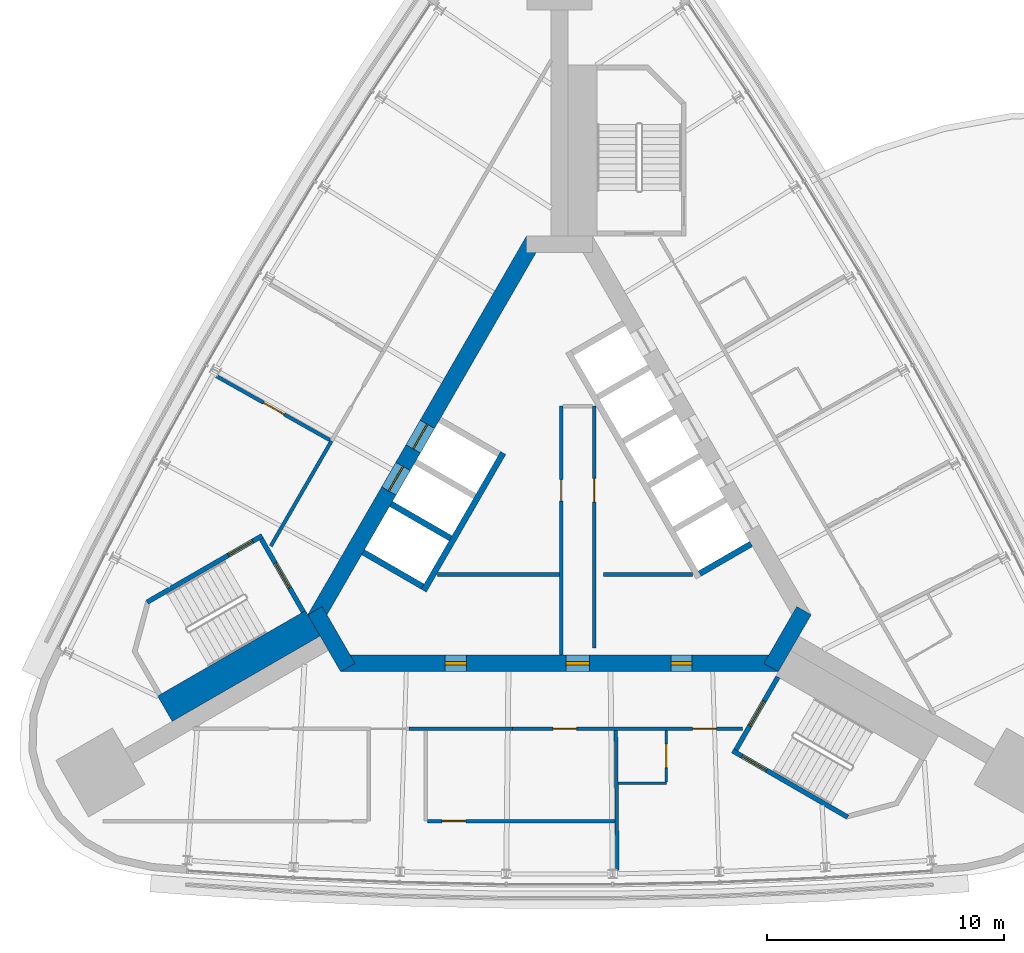
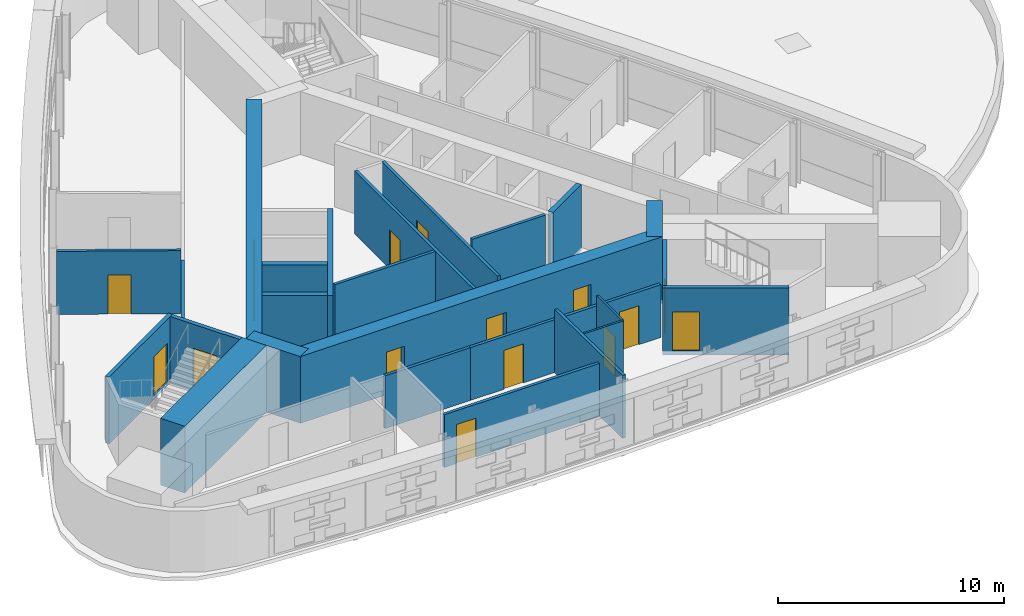
# One storey, part 8 of 12: 25 walls, 16 doors, 16 openings.
"""IFC4 building model written with IfcOpenShell, lengths in metres."""

from ifc_helpers import new_model, si_unit, direction, frame, frame_2d, origin, place, context, subcontext, project, spatial, rectangle, extrude, material, layer, layer_set, type_object, element, fill, save


model = new_model("IFC4")

# Units and contexts
model_context = context("Model", 3, precision=1e-05, world=origin(), true_north=direction((0.0, 1.0)))
body_context = subcontext(model_context, "Body", "Model", "MODEL_VIEW")
ifc_project = project(units=[si_unit("LENGTHUNIT", "METRE"), si_unit("AREAUNIT", "SQUARE_METRE"), si_unit("VOLUMEUNIT", "CUBIC_METRE"), si_unit("PLANEANGLEUNIT", "RADIAN"), si_unit("MASSUNIT", "GRAM", prefix="KILO")], contexts=[model_context])

# Site, building, storey
site_placement = place(None, origin())
site = spatial("IfcSite", under=ifc_project, at=site_placement, CompositionType="ELEMENT")
building_placement = place(site_placement, origin())
building = spatial("IfcBuilding", under=site, at=building_placement, Name="Noor Cloister Tower", CompositionType="ELEMENT")
storey_placement = place(building_placement, frame((0.0, 0.0, 185.10009765625)))
storey = spatial("IfcBuildingStorey", under=building, at=storey_placement, Name="L47", CompositionType="ELEMENT", Elevation=185.10009765625)

# Wall
ifc_material_1 = material(Name="Concrete C30/37", Category="concrete")
ifc_layer_1 = layer(ifc_material_1, 0.14990234375)
ifc_layer_set_1 = layer_set([ifc_layer_1], Name="Core partition 150 C30/37")
wall_type_1 = type_object("IfcWallType", Name="Core partition 150 C30/37", PredefinedType="PARTITIONING", material=ifc_layer_set_1)
wall_1_placement = place(storey_placement, frame((-5.142333984375, -2.828125, 0.0), z_axis=(0.0, 0.0, 1.0), x_axis=(1.0, 0.0, 0.0)))
element("IfcWall", 1, at=wall_1_placement, inside=storey, type_object=wall_type_1, Name="Core room partition L47 1", PredefinedType="PARTITIONING", context=body_context, shape_type="SweptSolid", body=[
    extrude(rectangle(XDim=5.138671875, YDim=0.14990234375, at=frame_2d((2.5693359375, 0.0))), origin(), (0.0, 0.0, 1.0), 3.39990234375),
])

# Wall, opening, door
wall_2_placement = place(storey_placement, frame((0.0712890625, 4.271728515625, 0.0), z_axis=(0.0, 0.0, 1.0), x_axis=(0.0, -1.0, 0.0)))
wall_2 = element("IfcWall", 2, at=wall_2_placement, inside=storey, type_object=wall_type_1, Name="Core room partition L47 2", PredefinedType="PARTITIONING", context=body_context, shape_type="SweptSolid", body=[
    extrude(rectangle(XDim=10.5, YDim=0.14990234375, at=frame_2d((5.25, 0.0))), origin(), (0.0, 0.0, 1.0), 3.39990234375),
])
opening_1_placement = place(wall_2_placement, frame((3.10107421875, 0.0, 0.0)))
opening_1 = element("IfcOpeningElement", 3, at=opening_1_placement, cuts=wall_2, Name="Opening L47-904", PredefinedType="OPENING", context=body_context, shape_type="SweptSolid", body=[
    extrude(rectangle(XDim=0.89990234375, YDim=2.10009765625, at=frame_2d((0.449951171875, 1.050048828125))), frame((0.0, 0.0849609375, 0.0), z_axis=(0.0, -1.0, 0.0), x_axis=(1.0, 0.0, 0.0)), (0.0, 0.0, 1.0), 0.169921875),
])
ifc_material_2 = material(Name="Steel", Category="steel")
door_type_1 = type_object("IfcDoorType", Name="Core door 900 x 2100 FD120", OperationType="SINGLE_SWING_LEFT", PredefinedType="DOOR", material=ifc_material_2)
door_1_placement = place(opening_1_placement, origin())
door_1 = element("IfcDoor", 4, at=door_1_placement, inside=storey, type_object=door_type_1, Name="Core door 4 L47", OperationType="SINGLE_SWING_RIGHT", OverallHeight=2.10009765625, OverallWidth=0.89990234375, PredefinedType="DOOR", context=body_context, shape_type="SweptSolid", body=[
    extrude(rectangle(XDim=0.89990234375, YDim=2.10009765625, at=frame_2d((0.449951171875, 1.050048828125))), frame((0.0, 0.02490234375, 0.0), z_axis=(0.0, -1.0, 0.0), x_axis=(1.0, 0.0, 0.0)), (0.0, 0.0, 1.0), 0.050048828125),
])
fill(opening_1, door_1)

wall_3_placement = place(storey_placement, frame((1.47119140625, -5.92822265625, 0.0), z_axis=(0.0, 0.0, 1.0), x_axis=(0.0, 1.0, 0.0)))
wall_3 = element("IfcWall", 5, at=wall_3_placement, inside=storey, type_object=wall_type_1, Name="Core room partition L47 4", PredefinedType="PARTITIONING", context=body_context, shape_type="SweptSolid", body=[
    extrude(rectangle(XDim=10.206298828125, YDim=0.14990234375, at=frame_2d((5.10302734375, 0.0))), origin(), (0.0, 0.0, 1.0), 3.39990234375),
])
opening_2_placement = place(wall_3_placement, frame((6.14990234375, 0.0, 0.0)))
opening_2 = element("IfcOpeningElement", 6, at=opening_2_placement, cuts=wall_3, Name="Opening L47-905", PredefinedType="OPENING", context=body_context, shape_type="SweptSolid", body=[
    extrude(rectangle(XDim=1.0, YDim=2.10009765625, at=frame_2d((0.5, 1.050048828125))), frame((0.0, 0.0849609375, 0.0), z_axis=(0.0, -1.0, 0.0), x_axis=(1.0, 0.0, 0.0)), (0.0, 0.0, 1.0), 0.169921875),
])
ifc_material_3 = material(Name="Steel", Category="steel")
door_type_2 = type_object("IfcDoorType", Name="Core door 1000 x 2100 FD60", OperationType="SINGLE_SWING_LEFT", PredefinedType="DOOR", material=ifc_material_3)
door_2_placement = place(opening_2_placement, origin())
door_2 = element("IfcDoor", 7, at=door_2_placement, inside=storey, type_object=door_type_2, Name="Core door 5 L47", OperationType="SINGLE_SWING_LEFT", OverallHeight=2.10009765625, OverallWidth=1.0, PredefinedType="DOOR", context=body_context, shape_type="SweptSolid", body=[
    extrude(rectangle(XDim=1.0, YDim=2.10009765625, at=frame_2d((0.5, 1.050048828125))), frame((0.0, 0.02490234375, 0.0), z_axis=(0.0, -1.0, 0.0), x_axis=(1.0, 0.0, 0.0)), (0.0, 0.0, 1.0), 0.050048828125),
])
fill(opening_2, door_2)

# Wall
wall_4_placement = place(storey_placement, frame((1.84619140625, -2.828125, 0.0), z_axis=(0.0, 0.0, 1.0), x_axis=(1.0, 0.0, 0.0)))
element("IfcWall", 8, at=wall_4_placement, inside=storey, type_object=wall_type_1, Name="Core room partition L47 5", PredefinedType="PARTITIONING", context=body_context, shape_type="SweptSolid", body=[
    extrude(rectangle(XDim=3.7578125, YDim=0.14990234375, at=frame_2d((1.87890625, 0.0))), origin(), (0.0, 0.0, 1.0), 3.39990234375),
])

# Wall, openings, doors
ifc_material_4 = material(Name="Concrete C70/85", Category="concrete")
ifc_layer_2 = layer(ifc_material_4, 0.699951171875)
ifc_layer_set_2 = layer_set([ifc_layer_2], Name="Core wall 700 C70/85")
wall_type_2 = type_object("IfcWallType", Name="Core wall 700 C70/85", PredefinedType="SHEAR", material=ifc_layer_set_2)
wall_5_placement = place(storey_placement, frame((-9.228759765625, -6.578125, -0.2001953125), z_axis=(0.0, 0.0, 1.0), x_axis=(1.0, 0.0, 0.0)))
wall_5 = element("IfcWall", 9, at=wall_5_placement, inside=storey, type_object=wall_type_2, Name="Core wall L47 1", PredefinedType="SHEAR", context=body_context, shape_type="SweptSolid", body=[
    extrude(rectangle(XDim=18.45751953125, YDim=0.699951171875, at=frame_2d((9.228759765625, 0.0))), origin(), (0.0, 0.0, 1.0), 3.60009765625),
])
opening_3_placement = place(wall_5_placement, frame((9.5, 0.0, 0.199951171875)))
opening_3 = element("IfcOpeningElement", 10, at=opening_3_placement, cuts=wall_5, Name="Opening L47-901", PredefinedType="OPENING", context=body_context, shape_type="SweptSolid", body=[
    extrude(rectangle(XDim=1.0, YDim=2.10009765625, at=frame_2d((0.5, 1.050048828125))), frame((0.0, 0.35986328125, 0.0), z_axis=(0.0, -1.0, 0.0), x_axis=(1.0, 0.0, 0.0)), (0.0, 0.0, 1.0), 0.719970703125),
])
opening_4_placement = place(wall_5_placement, frame((4.402099609375, 0.0, 0.199951171875)))
opening_4 = element("IfcOpeningElement", 11, at=opening_4_placement, cuts=wall_5, Name="Opening L47-902", PredefinedType="OPENING", context=body_context, shape_type="SweptSolid", body=[
    extrude(rectangle(XDim=0.89990234375, YDim=2.10009765625, at=frame_2d((0.449951171875, 1.050048828125))), frame((0.0, 0.35986328125, 0.0), z_axis=(0.0, -1.0, 0.0), x_axis=(1.0, 0.0, 0.0)), (0.0, 0.0, 1.0), 0.719970703125),
])
opening_5_placement = place(wall_5_placement, frame((13.9267578125, 0.0, 0.199951171875)))
opening_5 = element("IfcOpeningElement", 12, at=opening_5_placement, cuts=wall_5, Name="Opening L47-903", PredefinedType="OPENING", context=body_context, shape_type="SweptSolid", body=[
    extrude(rectangle(XDim=0.89990234375, YDim=2.10009765625, at=frame_2d((0.449951171875, 1.050048828125))), frame((0.0, 0.35986328125, 0.0), z_axis=(0.0, -1.0, 0.0), x_axis=(1.0, 0.0, 0.0)), (0.0, 0.0, 1.0), 0.719970703125),
])
ifc_material_5 = material(Name="Steel", Category="steel")
door_type_3 = type_object("IfcDoorType", Name="Core door 1000 x 2100 FD120", OperationType="SINGLE_SWING_LEFT", PredefinedType="DOOR", material=ifc_material_5)
door_3_placement = place(opening_3_placement, origin())
door_3 = element("IfcDoor", 13, at=door_3_placement, inside=storey, type_object=door_type_3, Name="Core door 1 L47", OperationType="SINGLE_SWING_LEFT", OverallHeight=2.10009765625, OverallWidth=1.0, PredefinedType="DOOR", context=body_context, shape_type="SweptSolid", body=[
    extrude(rectangle(XDim=1.0, YDim=2.10009765625, at=frame_2d((0.5, 1.050048828125))), frame((0.0, 0.074951171875, 0.0), z_axis=(0.0, -1.0, 0.0), x_axis=(1.0, 0.0, 0.0)), (0.0, 0.0, 1.0), 0.14990234375),
])
fill(opening_3, door_3)
door_4_placement = place(opening_5_placement, origin())
door_4 = element("IfcDoor", 14, at=door_4_placement, inside=storey, type_object=door_type_1, Name="Core door 3 L47", OperationType="SINGLE_SWING_LEFT", OverallHeight=2.10009765625, OverallWidth=0.89990234375, PredefinedType="DOOR", context=body_context, shape_type="SweptSolid", body=[
    extrude(rectangle(XDim=0.89990234375, YDim=2.10009765625, at=frame_2d((0.449951171875, 1.050048828125))), frame((0.0, 0.074951171875, 0.0), z_axis=(0.0, -1.0, 0.0), x_axis=(1.0, 0.0, 0.0)), (0.0, 0.0, 1.0), 0.14990234375),
])
fill(opening_5, door_4)
ifc_material_6 = material(Name="Steel", Category="steel")
door_type_4 = type_object("IfcDoorType", Name="Core door 900 x 2100 FD60", OperationType="SINGLE_SWING_LEFT", PredefinedType="DOOR", material=ifc_material_6)
door_5_placement = place(opening_4_placement, origin())
door_5 = element("IfcDoor", 15, at=door_5_placement, inside=storey, type_object=door_type_4, Name="Core door 2 L47", OperationType="SINGLE_SWING_RIGHT", OverallHeight=2.10009765625, OverallWidth=0.89990234375, PredefinedType="DOOR", context=body_context, shape_type="SweptSolid", body=[
    extrude(rectangle(XDim=0.89990234375, YDim=2.10009765625, at=frame_2d((0.449951171875, 1.050048828125))), frame((0.0, 0.074951171875, 0.0), z_axis=(0.0, -1.0, 0.0), x_axis=(1.0, 0.0, 0.0)), (0.0, 0.0, 1.0), 0.14990234375),
])
fill(opening_4, door_5)

# Wall
wall_6_placement = place(storey_placement, frame((8.925537109375, -6.753173828125, -0.2001953125), z_axis=(0.0, 0.0, 1.0), x_axis=(0.500042739161, 0.866000726912, 0.0)))
element("IfcWall", 16, at=wall_6_placement, inside=storey, type_object=wall_type_2, Name="Core wall L47 2", PredefinedType="SHEAR", context=body_context, shape_type="SweptSolid", body=[
    extrude(rectangle(XDim=2.771240234375, YDim=0.699951171875, at=frame_2d((1.3857421875, 0.0))), origin(), (0.0, 0.0, 1.0), 3.60009765625),
])

# Wall, openings, doors
wall_7_placement = place(storey_placement, frame((-1.08251953125, 11.281494140625, -0.2001953125), z_axis=(0.0, 0.0, 1.0), x_axis=(-0.500001446645, -0.866024568562, 0.0)))
wall_7 = element("IfcWall", 17, at=wall_7_placement, inside=storey, type_object=wall_type_2, Name="Core wall L47 5", PredefinedType="SHEAR", context=body_context, shape_type="SweptSolid", body=[
    extrude(rectangle(XDim=18.45751953125, YDim=0.699951171875, at=frame_2d((9.228759765625, 0.0))), origin(), (0.0, 0.0, 1.0), 3.60009765625),
])
opening_6_placement = place(wall_7_placement, frame((8.978759765625, 0.0, 0.199951171875)))
opening_6 = element("IfcOpeningElement", 18, at=opening_6_placement, cuts=wall_7, Name="Opening L47-FF1", PredefinedType="OPENING", context=body_context, shape_type="SweptSolid", body=[
    extrude(rectangle(XDim=1.199951171875, YDim=2.10009765625, at=frame_2d((0.60009765625, 1.050048828125))), frame((0.0, 0.35986328125, 0.0), z_axis=(0.0, -1.0, 0.0), x_axis=(1.0, 0.0, 0.0)), (0.0, 0.0, 1.0), 0.719970703125),
])
opening_7_placement = place(wall_7_placement, frame((11.02880859375, 0.0, 0.199951171875)))
opening_7 = element("IfcOpeningElement", 19, at=opening_7_placement, cuts=wall_7, Name="Opening L47-FF2", PredefinedType="OPENING", context=body_context, shape_type="SweptSolid", body=[
    extrude(rectangle(XDim=1.199951171875, YDim=2.10009765625, at=frame_2d((0.60009765625, 1.050048828125))), frame((0.0, 0.35986328125, 0.0), z_axis=(0.0, -1.0, 0.0), x_axis=(1.0, 0.0, 0.0)), (0.0, 0.0, 1.0), 0.719970703125),
])
ifc_material_7 = material(Name="Stainless steel", Category="steel")
door_type_5 = type_object("IfcDoorType", Name="Lift landing door 1200 x 2100", OperationType="DOUBLE_DOOR_SLIDING", PredefinedType="DOOR", material=ifc_material_7)
door_6_placement = place(opening_6_placement, origin())
door_6 = element("IfcDoor", 20, at=door_6_placement, inside=storey, type_object=door_type_5, Name="Landing door FF1 L47", OperationType="DOUBLE_DOOR_SLIDING", OverallHeight=2.10009765625, OverallWidth=1.199951171875, PredefinedType="DOOR", context=body_context, shape_type="SweptSolid", body=[
    extrude(rectangle(XDim=1.199951171875, YDim=2.10009765625, at=frame_2d((0.60009765625, 1.050048828125))), frame((0.0, 0.02490234375, 0.0), z_axis=(0.0, -1.0, 0.0), x_axis=(1.0, 0.0, 0.0)), (0.0, 0.0, 1.0), 0.050048828125),
])
fill(opening_6, door_6)
door_7_placement = place(opening_7_placement, origin())
door_7 = element("IfcDoor", 21, at=door_7_placement, inside=storey, type_object=door_type_5, Name="Landing door FF2 L47", OperationType="DOUBLE_DOOR_SLIDING", OverallHeight=2.10009765625, OverallWidth=1.199951171875, PredefinedType="DOOR", context=body_context, shape_type="SweptSolid", body=[
    extrude(rectangle(XDim=1.199951171875, YDim=2.10009765625, at=frame_2d((0.60009765625, 1.050048828125))), frame((0.0, 0.02490234375, 0.0), z_axis=(0.0, -1.0, 0.0), x_axis=(1.0, 0.0, 0.0)), (0.0, 0.0, 1.0), 0.050048828125),
])
fill(opening_7, door_7)

# Walls
wall_8_placement = place(storey_placement, frame((-10.311279296875, -4.353271484375, -0.2001953125), z_axis=(0.0, 0.0, 1.0), x_axis=(0.500042739161, -0.866000726912, 0.0)))
element("IfcWall", 22, at=wall_8_placement, inside=storey, type_object=wall_type_2, Name="Core wall L47 6", PredefinedType="SHEAR", context=body_context, shape_type="SweptSolid", body=[
    extrude(rectangle(XDim=2.771240234375, YDim=0.699951171875, at=frame_2d((1.3857421875, 0.0))), origin(), (0.0, 0.0, 1.0), 3.60009765625),
])
ifc_material_8 = material(Name="Fire-rated gypsum board partition on steel studs, 150 mm", Category="steel")
ifc_layer_3 = layer(ifc_material_8, 0.14990234375)
ifc_layer_set_3 = layer_set([ifc_layer_3], Name="Fire lobby wall 150")
wall_type_3 = type_object("IfcWallType", Name="Fire lobby wall 150", PredefinedType="PARTITIONING", material=ifc_layer_set_3)
wall_9_placement = place(storey_placement, frame((-9.6162109375, 2.800537109375, 0.0), z_axis=(0.0, 0.0, 1.0), x_axis=(-0.499995206172, -0.866028171485, 0.0)))
element("IfcWall", 23, at=wall_9_placement, inside=storey, type_object=wall_type_3, Name="Wall L47-W25", PredefinedType="PARTITIONING", context=body_context, shape_type="SweptSolid", body=[
    extrude(rectangle(XDim=5.11376953125, YDim=0.14990234375, at=frame_2d((2.556884765625, 0.0))), origin(), (0.0, 0.0, 1.0), 2.851806640625),
])

# Wall, openings, doors
ifc_material_9 = material(Name="Gypsum board partition on steel studs, 150 mm", Category="steel")
ifc_layer_4 = layer(ifc_material_9, 0.14990234375)
ifc_layer_set_4 = layer_set([ifc_layer_4], Name="Flat wall 150")
wall_type_4 = type_object("IfcWallType", Name="Flat wall 150", PredefinedType="PARTITIONING", material=ifc_layer_set_4)
wall_10_placement = place(storey_placement, frame((-1.978515625, -9.328125, 0.0), z_axis=(0.0, 0.0, 1.0), x_axis=(1.0, 0.0, 0.0)))
wall_10 = element("IfcWall", 24, at=wall_10_placement, inside=storey, type_object=wall_type_4, Name="Wall L47-W15", PredefinedType="PARTITIONING", context=body_context, shape_type="SweptSolid", body=[
    extrude(rectangle(XDim=9.7060546875, YDim=0.14990234375, at=frame_2d((4.85302734375, 0.0))), origin(), (0.0, 0.0, 1.0), 2.846923828125),
])
opening_8_placement = place(wall_10_placement, frame((1.703369140625, 0.0, 0.0)))
opening_8 = element("IfcOpeningElement", 25, at=opening_8_placement, cuts=wall_10, Name="Opening L47-013", PredefinedType="OPENING", context=body_context, shape_type="SweptSolid", body=[
    extrude(rectangle(XDim=1.0, YDim=2.10009765625, at=frame_2d((0.5, 1.050048828125))), frame((0.0, 0.0849609375, 0.0), z_axis=(0.0, -1.0, 0.0), x_axis=(1.0, 0.0, 0.0)), (0.0, 0.0, 1.0), 0.169921875),
])
opening_9_placement = place(wall_10_placement, frame((7.59375, 0.0, 0.0)))
opening_9 = element("IfcOpeningElement", 26, at=opening_9_placement, cuts=wall_10, Name="Opening L47-015", PredefinedType="OPENING", context=body_context, shape_type="SweptSolid", body=[
    extrude(rectangle(XDim=1.0, YDim=2.10009765625, at=frame_2d((0.5, 1.050048828125))), frame((0.0, 0.0849609375, 0.0), z_axis=(0.0, -1.0, 0.0), x_axis=(1.0, 0.0, 0.0)), (0.0, 0.0, 1.0), 0.169921875),
])
ifc_material_10 = material(Name="Timber door leaf with steel frame", Category="steel")
door_type_6 = type_object("IfcDoorType", Name="Flat entrance door 1000", OperationType="NOTDEFINED", PredefinedType="DOOR", material=ifc_material_10)
door_8_placement = place(opening_9_placement, origin())
door_8 = element("IfcDoor", 27, at=door_8_placement, inside=storey, type_object=door_type_6, Name="Door L47-015", OperationType="SINGLE_SWING_LEFT", OverallHeight=2.10009765625, OverallWidth=1.0, PredefinedType="DOOR", context=body_context, shape_type="SweptSolid", body=[
    extrude(rectangle(XDim=1.0, YDim=2.10009765625, at=frame_2d((0.5, 1.050048828125))), frame((0.0, 0.02490234375, 0.0), z_axis=(0.0, -1.0, 0.0), x_axis=(1.0, 0.0, 0.0)), (0.0, 0.0, 1.0), 0.050048828125),
])
fill(opening_9, door_8)
ifc_material_11 = material(Name="Timber door leaf with steel frame", Category="steel")
door_type_7 = type_object("IfcDoorType", Name="Interior door 1000 FD60", OperationType="NOTDEFINED", PredefinedType="DOOR", material=ifc_material_11)
door_9_placement = place(opening_8_placement, origin())
door_9 = element("IfcDoor", 28, at=door_9_placement, inside=storey, type_object=door_type_7, Name="Door L47-013", OperationType="SINGLE_SWING_LEFT", OverallHeight=2.10009765625, OverallWidth=1.0, PredefinedType="DOOR", context=body_context, shape_type="SweptSolid", body=[
    extrude(rectangle(XDim=1.0, YDim=2.10009765625, at=frame_2d((0.5, 1.050048828125))), frame((0.0, 0.02490234375, 0.0), z_axis=(0.0, -1.0, 0.0), x_axis=(1.0, 0.0, 0.0)), (0.0, 0.0, 1.0), 0.050048828125),
])
fill(opening_8, door_9)

# Walls
wall_11_placement = place(storey_placement, frame((-6.33740234375, -9.328125, 0.0), z_axis=(0.0, 0.0, 1.0), x_axis=(1.0, 0.0, 0.0)))
element("IfcWall", 29, at=wall_11_placement, inside=storey, type_object=wall_type_4, Name="Wall L47-W16", PredefinedType="PARTITIONING", context=body_context, shape_type="SweptSolid", body=[
    extrude(rectangle(XDim=4.35888671875, YDim=0.14990234375, at=frame_2d((2.179443359375, 0.0))), origin(), (0.0, 0.0, 1.0), 2.846923828125),
])
wall_12_placement = place(storey_placement, frame((2.4423828125, -15.302490234375, 0.0), z_axis=(0.0, 0.0, 1.0), x_axis=(-0.01067687349, 0.999943000562, 0.0)))
element("IfcWall", 30, at=wall_12_placement, inside=storey, type_object=wall_type_4, Name="Wall L47-W17", PredefinedType="PARTITIONING", context=body_context, shape_type="SweptSolid", body=[
    extrude(rectangle(XDim=5.8994140625, YDim=0.14990234375, at=frame_2d((2.94970703125, 0.0))), origin(), (0.0, 0.0, 1.0), 3.39990234375),
])

# Wall, opening, door
wall_13_placement = place(storey_placement, frame((-5.56982421875, -13.228515625, 0.0), z_axis=(0.0, 0.0, 1.0), x_axis=(1.0, 0.0, 0.0)))
wall_13 = element("IfcWall", 31, at=wall_13_placement, inside=storey, type_object=wall_type_4, Name="Wall L47-W21", PredefinedType="PARTITIONING", context=body_context, shape_type="SweptSolid", body=[
    extrude(rectangle(XDim=7.9150390625, YDim=0.14990234375, at=frame_2d((3.95751953125, 0.0))), origin(), (0.0, 0.0, 1.0), 2.846923828125),
])
opening_10_placement = place(wall_13_placement, frame((0.625, 0.0, 0.0)))
opening_10 = element("IfcOpeningElement", 32, at=opening_10_placement, cuts=wall_13, Name="Opening L47-012", PredefinedType="OPENING", context=body_context, shape_type="SweptSolid", body=[
    extrude(rectangle(XDim=1.0, YDim=2.10009765625, at=frame_2d((0.5, 1.050048828125))), frame((0.0, 0.0849609375, 0.0), z_axis=(0.0, -1.0, 0.0), x_axis=(1.0, 0.0, 0.0)), (0.0, 0.0, 1.0), 0.169921875),
])
door_10_placement = place(opening_10_placement, origin())
door_10 = element("IfcDoor", 33, at=door_10_placement, inside=storey, type_object=door_type_7, Name="Door L47-012", OperationType="SINGLE_SWING_RIGHT", OverallHeight=2.10009765625, OverallWidth=1.0, PredefinedType="DOOR", context=body_context, shape_type="SweptSolid", body=[
    extrude(rectangle(XDim=1.0, YDim=2.10009765625, at=frame_2d((0.5, 1.050048828125))), frame((0.0, 0.02490234375, 0.0), z_axis=(0.0, -1.0, 0.0), x_axis=(1.0, 0.0, 0.0)), (0.0, 0.0, 1.0), 0.050048828125),
])
fill(opening_10, door_10)

wall_14_placement = place(storey_placement, frame((-14.4736328125, 5.5361328125, 0.0), z_axis=(0.0, 0.0, 1.0), x_axis=(0.871324088074, -0.490707992132, 0.0)))
wall_14 = element("IfcWall", 34, at=wall_14_placement, inside=storey, type_object=wall_type_4, Name="Wall L47-W27", PredefinedType="PARTITIONING", context=body_context, shape_type="SweptSolid", body=[
    extrude(rectangle(XDim=5.499755859375, YDim=0.14990234375, at=frame_2d((2.75, 0.0))), origin(), (0.0, 0.0, 1.0), 3.39990234375),
])
opening_11_placement = place(wall_14_placement, frame((2.287353515625, 0.0, 0.0)))
opening_11 = element("IfcOpeningElement", 35, at=opening_11_placement, cuts=wall_14, Name="Opening L47-018", PredefinedType="OPENING", context=body_context, shape_type="SweptSolid", body=[
    extrude(rectangle(XDim=1.0, YDim=2.10009765625, at=frame_2d((0.5, 1.050048828125))), frame((0.0, 0.0849609375, 0.0), z_axis=(0.0, -1.0, 0.0), x_axis=(1.0, 0.0, 0.0)), (0.0, 0.0, 1.0), 0.169921875),
])
door_11_placement = place(opening_11_placement, origin())
door_11 = element("IfcDoor", 36, at=door_11_placement, inside=storey, type_object=door_type_7, Name="Door L47-018", OperationType="SINGLE_SWING_RIGHT", OverallHeight=2.10009765625, OverallWidth=1.0, PredefinedType="DOOR", context=body_context, shape_type="SweptSolid", body=[
    extrude(rectangle(XDim=1.0, YDim=2.10009765625, at=frame_2d((0.5, 1.050048828125))), frame((0.0, 0.02490234375, 0.0), z_axis=(0.0, -1.0, 0.0), x_axis=(1.0, 0.0, 0.0)), (0.0, 0.0, 1.0), 0.050048828125),
])
fill(opening_11, door_11)

# Wall
ifc_material_12 = material(Name="Gypsum board partition on steel studs, 100 mm", Category="steel")
ifc_layer_5 = layer(ifc_material_12, 0.10009765625)
ifc_layer_set_5 = layer_set([ifc_layer_5], Name="Partition 100")
wall_type_5 = type_object("IfcWallType", Name="Partition 100", PredefinedType="PARTITIONING", material=ifc_layer_set_5)
wall_15_placement = place(storey_placement, frame((2.47802734375, -11.628173828125, 0.0), z_axis=(0.0, 0.0, 1.0), x_axis=(1.0, 0.0, 0.0)))
element("IfcWall", 37, at=wall_15_placement, inside=storey, type_object=wall_type_5, Name="Wall L47-W22", PredefinedType="PARTITIONING", context=body_context, shape_type="SweptSolid", body=[
    extrude(rectangle(XDim=2.025146484375, YDim=0.10009765625, at=frame_2d((1.0126953125, 0.0))), origin(), (0.0, 0.0, 1.0), 3.39990234375),
])

# Wall, opening, door
wall_16_placement = place(storey_placement, frame((4.503173828125, -11.578125, 0.0), z_axis=(0.0, 0.0, 1.0), x_axis=(0.0, 1.0, 0.0)))
wall_16 = element("IfcWall", 38, at=wall_16_placement, inside=storey, type_object=wall_type_5, Name="Wall L47-W23", PredefinedType="PARTITIONING", context=body_context, shape_type="SweptSolid", body=[
    extrude(rectangle(XDim=2.1748046875, YDim=0.10009765625, at=frame_2d((1.08740234375, 0.0))), origin(), (0.0, 0.0, 1.0), 3.39990234375),
])
opening_12_placement = place(wall_16_placement, frame((0.60009765625, 0.0, 0.0)))
opening_12 = element("IfcOpeningElement", 39, at=opening_12_placement, cuts=wall_16, Name="Opening L47-014", PredefinedType="OPENING", context=body_context, shape_type="SweptSolid", body=[
    extrude(rectangle(XDim=1.0, YDim=2.10009765625, at=frame_2d((0.5, 1.050048828125))), frame((0.0, 0.06005859375, 0.0), z_axis=(0.0, -1.0, 0.0), x_axis=(1.0, 0.0, 0.0)), (0.0, 0.0, 1.0), 0.1201171875),
])
ifc_material_13 = material(Name="Timber door leaf with steel frame", Category="steel")
door_type_8 = type_object("IfcDoorType", Name="Interior door 1000", OperationType="NOTDEFINED", PredefinedType="DOOR", material=ifc_material_13)
door_12_placement = place(opening_12_placement, origin())
door_12 = element("IfcDoor", 40, at=door_12_placement, inside=storey, type_object=door_type_8, Name="Door L47-014", OperationType="SINGLE_SWING_RIGHT", OverallHeight=2.10009765625, OverallWidth=1.0, PredefinedType="DOOR", context=body_context, shape_type="SweptSolid", body=[
    extrude(rectangle(XDim=1.0, YDim=2.10009765625, at=frame_2d((0.5, 1.050048828125))), frame((0.0, 0.02490234375, 0.0), z_axis=(0.0, -1.0, 0.0), x_axis=(1.0, 0.0, 0.0)), (0.0, 0.0, 1.0), 0.050048828125),
])
fill(opening_12, door_12)

# Walls
ifc_material_14 = material(Name="Concrete C70/85", Category="concrete")
ifc_layer_6 = layer(ifc_material_14, 0.25)
ifc_layer_set_6 = layer_set([ifc_layer_6], Name="Shaft wall 250 C70/85")
wall_type_6 = type_object("IfcWallType", Name="Shaft wall 250 C70/85", PredefinedType="PARTITIONING", material=ifc_layer_set_6)
wall_17_placement = place(storey_placement, frame((8.081298828125, -1.540771484375, -0.2001953125), z_axis=(0.0, 0.0, 1.0), x_axis=(-0.866022959057, -0.500004234368, 0.0)))
element("IfcWall", 41, at=wall_17_placement, inside=storey, type_object=wall_type_6, Name="Lift shaft wall L47 NE 1", PredefinedType="PARTITIONING", context=body_context, shape_type="SweptSolid", body=[
    extrude(rectangle(XDim=2.5, YDim=0.25, at=frame_2d((1.25, 0.0))), origin(), (0.0, 0.0, 1.0), 3.60009765625),
])
for number, where, z_axis, x_axis, name in (
    (42, (-7.106201171875, 0.14794921875, -0.2001953125), (0.0, 0.0, 1.0), (0.866032775405, -0.499987231761, 0.0), "Lift shaft wall L47 NW 5"),
    (43, (-8.28125, -1.88720703125, -0.2001953125), (0.0, 0.0, 1.0), (0.866032775405, -0.499987231761, 0.0), "Lift shaft wall L47 NW 6"),
):
    element("IfcWall", number, at=place(storey_placement, frame(where, z_axis=z_axis, x_axis=x_axis)), inside=storey, type_object=wall_type_6, Name=name, PredefinedType="PARTITIONING", context=body_context, shape_type="SweptSolid", body=[
        extrude(rectangle(XDim=2.89990234375, YDim=0.25, at=frame_2d((1.449951171875, 0.0))), origin(), (0.0, 0.0, 1.0), 3.60009765625),
    ])
wall_18_placement = place(storey_placement, frame((-2.3740234375, 2.29443359375, 0.0), z_axis=(0.0, 0.0, 1.0), x_axis=(-0.500003174267, -0.866023571113, 0.0)))
element("IfcWall", 44, at=wall_18_placement, inside=storey, type_object=wall_type_6, Name="Lift shaft back wall L47 NW", PredefinedType="PARTITIONING", context=body_context, shape_type="SweptSolid", body=[
    extrude(rectangle(XDim=6.7001953125, YDim=0.25, at=frame_2d((3.35009765625, 0.0))), origin(), (0.0, 0.0, 1.0), 3.39990234375),
])
ifc_material_15 = material(Name="Concrete C70/85", Category="concrete")
ifc_layer_7 = layer(ifc_material_15, 1.236083984375)
ifc_layer_set_7 = layer_set([ifc_layer_7], Name="Stair enclosure wall 1236 C70/85")
wall_type_7 = type_object("IfcWallType", Name="Stair enclosure wall 1236 C70/85", PredefinedType="SHEAR", material=ifc_layer_set_7)
wall_19_placement = place(storey_placement, frame((-10.405517578125, -4.889892578125, -0.2001953125), z_axis=(0.0, 0.0, 1.0), x_axis=(-0.866018442252, -0.500012057535, 0.0)))
element("IfcWall", 45, at=wall_19_placement, inside=storey, type_object=wall_type_7, Name="Stair enclosure wall ST2 L47 riser side", PredefinedType="SHEAR", context=body_context, shape_type="SweptSolid", body=[
    extrude(rectangle(XDim=7.199951171875, YDim=1.235595703125, at=frame_2d((3.60009765625, 0.0))), origin(), (0.0, 0.0, 1.0), 3.60009765625),
])

# Wall, opening, door
ifc_material_16 = material(Name="Concrete C70/85", Category="concrete")
ifc_layer_8 = layer(ifc_material_16, 0.199951171875)
ifc_layer_set_8 = layer_set([ifc_layer_8], Name="Stair enclosure wall 200 C70/85")
wall_type_8 = type_object("IfcWallType", Name="Stair enclosure wall 200 C70/85", PredefinedType="SHEAR", material=ifc_layer_set_8)
wall_20_placement = place(storey_placement, frame((-12.575927734375, -1.33056640625, -0.2001953125), z_axis=(0.0, 0.0, 1.0), x_axis=(0.499970499736, -0.8660424351, 0.0)))
wall_20 = element("IfcWall", 46, at=wall_20_placement, inside=storey, type_object=wall_type_8, Name="Stair enclosure wall ST2 L47 near end", PredefinedType="SHEAR", context=body_context, shape_type="SweptSolid", body=[
    extrude(rectangle(XDim=3.550048828125, YDim=0.199951171875, at=frame_2d((1.77490234375, 0.0))), origin(), (0.0, 0.0, 1.0), 3.60009765625),
])
opening_13_placement = place(wall_20_placement, frame((1.175048828125, 0.0, 0.199951171875)))
opening_13 = element("IfcOpeningElement", 47, at=opening_13_placement, cuts=wall_20, Name="Opening L47-ST2L", PredefinedType="OPENING", context=body_context, shape_type="SweptSolid", body=[
    extrude(rectangle(XDim=1.199951171875, YDim=2.10009765625, at=frame_2d((0.60009765625, 1.050048828125))), frame((0.0, 0.10986328125, 0.0), z_axis=(0.0, -1.0, 0.0), x_axis=(1.0, 0.0, 0.0)), (0.0, 0.0, 1.0), 0.219970703125),
])
ifc_material_17 = material(Name="Steel", Category="steel")
door_type_9 = type_object("IfcDoorType", Name="Stair door 1200 x 2100 FD120", OperationType="SINGLE_SWING_LEFT", PredefinedType="DOOR", material=ifc_material_17)
door_13_placement = place(opening_13_placement, origin())
door_13 = element("IfcDoor", 48, at=door_13_placement, inside=storey, type_object=door_type_9, Name="Stair door ST2 L47", OperationType="SINGLE_SWING_RIGHT", OverallHeight=2.10009765625, OverallWidth=1.199951171875, PredefinedType="DOOR", context=body_context, shape_type="SweptSolid", body=[
    extrude(rectangle(XDim=1.199951171875, YDim=2.10009765625, at=frame_2d((0.60009765625, 1.050048828125))), frame((0.0, 0.02490234375, 0.0), z_axis=(0.0, -1.0, 0.0), x_axis=(1.0, 0.0, 0.0)), (0.0, 0.0, 1.0), 0.050048828125),
])
fill(opening_13, door_13)

wall_21_placement = place(storey_placement, frame((-12.539306640625, -1.194091796875, -0.2001953125), z_axis=(0.0, 0.0, 1.0), x_axis=(-0.866045472092, -0.499965239061, 0.0)))
wall_21 = element("IfcWall", 49, at=wall_21_placement, inside=storey, type_object=wall_type_8, Name="Stair enclosure wall ST2 L47 outer side", PredefinedType="SHEAR", context=body_context, shape_type="SweptSolid", body=[
    extrude(rectangle(XDim=5.60009765625, YDim=0.199951171875, at=frame_2d((2.800048828125, 0.0))), origin(), (0.0, 0.0, 1.0), 3.60009765625),
])
opening_14_placement = place(wall_21_placement, frame((0.449951171875, 0.0, 0.199951171875)))
opening_14 = element("IfcOpeningElement", 50, at=opening_14_placement, cuts=wall_21, Name="Opening L47-ST2C", PredefinedType="OPENING", context=body_context, shape_type="SweptSolid", body=[
    extrude(rectangle(XDim=1.199951171875, YDim=2.10009765625, at=frame_2d((0.60009765625, 1.050048828125))), frame((0.0, 0.10986328125, 0.0), z_axis=(0.0, -1.0, 0.0), x_axis=(1.0, 0.0, 0.0)), (0.0, 0.0, 1.0), 0.219970703125),
])
door_14_placement = place(opening_14_placement, origin())
door_14 = element("IfcDoor", 51, at=door_14_placement, inside=storey, type_object=door_type_9, Name="Stair door ST2 L47", OperationType="SINGLE_SWING_LEFT", OverallHeight=2.10009765625, OverallWidth=1.199951171875, PredefinedType="DOOR", context=body_context, shape_type="SweptSolid", body=[
    extrude(rectangle(XDim=1.199951171875, YDim=2.10009765625, at=frame_2d((0.60009765625, 1.050048828125))), frame((0.0, 0.02490234375, 0.0), z_axis=(0.0, -1.0, 0.0), x_axis=(1.0, 0.0, 0.0)), (0.0, 0.0, 1.0), 0.050048828125),
])
fill(opening_14, door_14)

wall_22_placement = place(storey_placement, frame((7.440185546875, -10.225830078125, -0.2001953125), z_axis=(0.0, 0.0, 1.0), x_axis=(0.500022077904, 0.866012656725, 0.0)))
wall_22 = element("IfcWall", 52, at=wall_22_placement, inside=storey, type_object=wall_type_8, Name="Stair enclosure wall ST3 L47 near end", PredefinedType="SHEAR", context=body_context, shape_type="SweptSolid", body=[
    extrude(rectangle(XDim=3.550048828125, YDim=0.199951171875, at=frame_2d((1.77490234375, 0.0))), origin(), (0.0, 0.0, 1.0), 3.60009765625),
])
opening_15_placement = place(wall_22_placement, frame((1.175048828125, 0.0, 0.199951171875)))
opening_15 = element("IfcOpeningElement", 53, at=opening_15_placement, cuts=wall_22, Name="Opening L47-ST3L", PredefinedType="OPENING", context=body_context, shape_type="SweptSolid", body=[
    extrude(rectangle(XDim=1.199951171875, YDim=2.10009765625, at=frame_2d((0.60009765625, 1.050048828125))), frame((0.0, 0.10986328125, 0.0), z_axis=(0.0, -1.0, 0.0), x_axis=(1.0, 0.0, 0.0)), (0.0, 0.0, 1.0), 0.219970703125),
])
door_15_placement = place(opening_15_placement, origin())
door_15 = element("IfcDoor", 54, at=door_15_placement, inside=storey, type_object=door_type_9, Name="Stair door ST3 L47", OperationType="SINGLE_SWING_RIGHT", OverallHeight=2.10009765625, OverallWidth=1.199951171875, PredefinedType="DOOR", context=body_context, shape_type="SweptSolid", body=[
    extrude(rectangle(XDim=1.199951171875, YDim=2.10009765625, at=frame_2d((0.60009765625, 1.050048828125))), frame((0.0, 0.02490234375, 0.0), z_axis=(0.0, -1.0, 0.0), x_axis=(1.0, 0.0, 0.0)), (0.0, 0.0, 1.0), 0.050048828125),
])
fill(opening_15, door_15)

wall_23_placement = place(storey_placement, frame((7.3037109375, -10.262451171875, -0.2001953125), z_axis=(0.0, 0.0, 1.0), x_axis=(0.866026594901, -0.49999793692, 0.0)))
wall_23 = element("IfcWall", 55, at=wall_23_placement, inside=storey, type_object=wall_type_8, Name="Stair enclosure wall ST3 L47 outer side", PredefinedType="SHEAR", context=body_context, shape_type="SweptSolid", body=[
    extrude(rectangle(XDim=5.60009765625, YDim=0.199951171875, at=frame_2d((2.800048828125, 0.0))), origin(), (0.0, 0.0, 1.0), 3.60009765625),
])
opening_16_placement = place(wall_23_placement, frame((0.449951171875, 0.0, 0.199951171875)))
opening_16 = element("IfcOpeningElement", 56, at=opening_16_placement, cuts=wall_23, Name="Opening L47-ST3C", PredefinedType="OPENING", context=body_context, shape_type="SweptSolid", body=[
    extrude(rectangle(XDim=1.199951171875, YDim=2.10009765625, at=frame_2d((0.60009765625, 1.050048828125))), frame((0.0, 0.10986328125, 0.0), z_axis=(0.0, -1.0, 0.0), x_axis=(1.0, 0.0, 0.0)), (0.0, 0.0, 1.0), 0.219970703125),
])
door_16_placement = place(opening_16_placement, origin())
door_16 = element("IfcDoor", 57, at=door_16_placement, inside=storey, type_object=door_type_9, Name="Stair door ST3 L47", OperationType="SINGLE_SWING_LEFT", OverallHeight=2.10009765625, OverallWidth=1.199951171875, PredefinedType="DOOR", context=body_context, shape_type="SweptSolid", body=[
    extrude(rectangle(XDim=1.199951171875, YDim=2.10009765625, at=frame_2d((0.60009765625, 1.050048828125))), frame((0.0, 0.02490234375, 0.0), z_axis=(0.0, -1.0, 0.0), x_axis=(1.0, 0.0, 0.0)), (0.0, 0.0, 1.0), 0.050048828125),
])
fill(opening_16, door_16)

save(model, "model.ifc")
